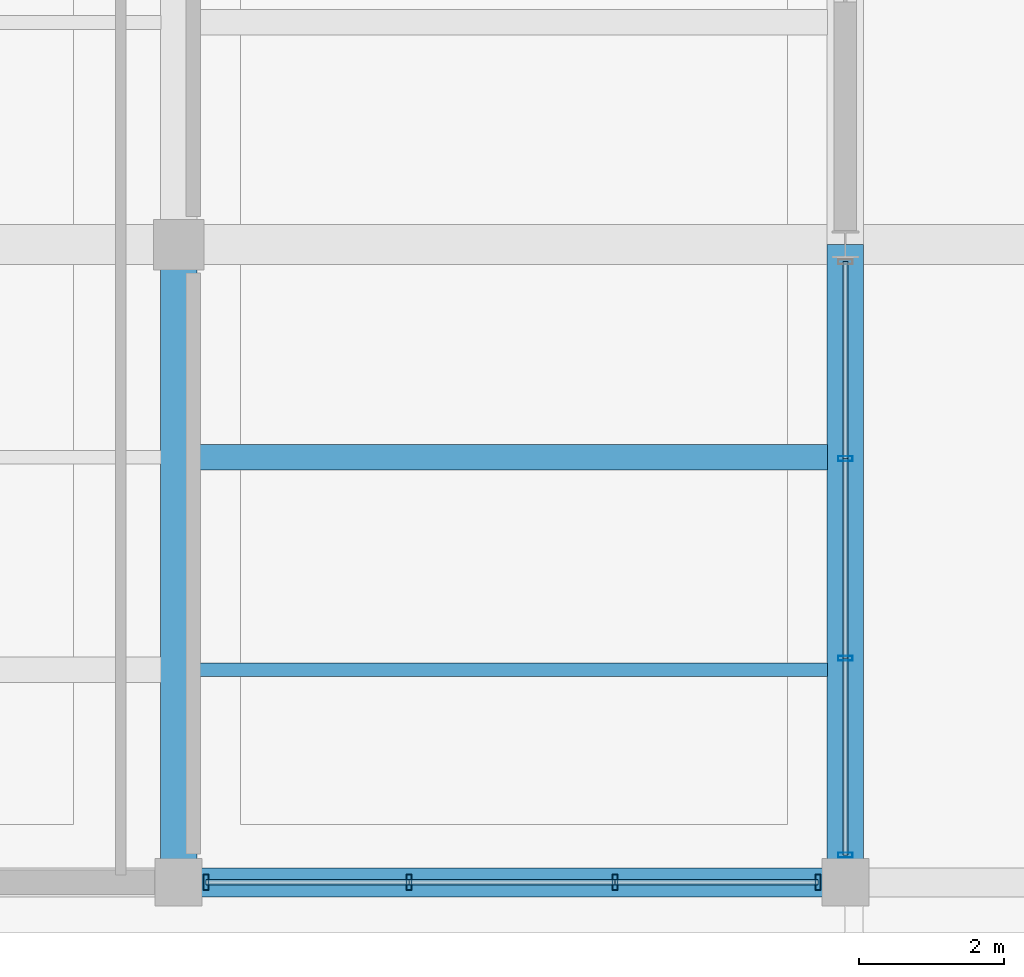
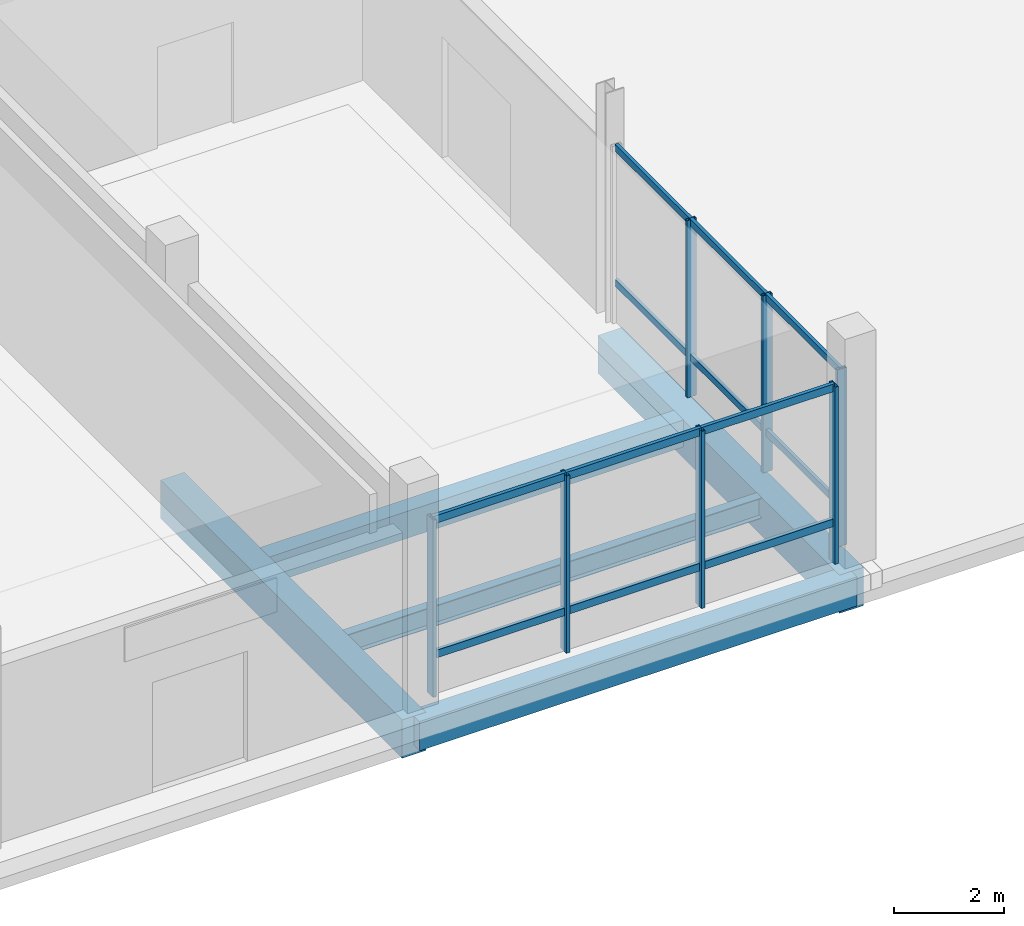
# One storey, part 14 of 73: 19 members, 5 beams, 2 elements without a shape of their own.
"""IFC4 building model written with IfcOpenShell, lengths in metres."""

from ifc_helpers import new_model, si_unit, direction, frame, origin, origin_2d, place, context, subcontext, project, spatial, rectangle, hollow_rectangle, i_section, extrude, material, layer, layer_set, material_profile, profile_set, type_object, element, aggregate, save


model = new_model("IFC4")

# Units and contexts
model_context = context("Model", 3, precision=1e-05, world=origin(), true_north=direction((0.0, 1.0)))
body_context = subcontext(model_context, "Body", "Model", "MODEL_VIEW")
ifc_project = project(units=[si_unit("LENGTHUNIT", "METRE"), si_unit("AREAUNIT", "SQUARE_METRE"), si_unit("VOLUMEUNIT", "CUBIC_METRE"), si_unit("PLANEANGLEUNIT", "RADIAN"), si_unit("MASSUNIT", "GRAM", prefix="KILO")], contexts=[model_context])

# Site, building, storey
site_placement = place(None, origin())
site = spatial("IfcSite", under=ifc_project, at=site_placement, CompositionType="ELEMENT")
building_placement = place(site_placement, origin())
building = spatial("IfcBuilding", under=site, at=building_placement, Name="Meriwether Solvik Hall", CompositionType="ELEMENT")
storey_placement = place(building_placement, origin())
storey = spatial("IfcBuildingStorey", under=building, at=storey_placement, Name="L00", CompositionType="ELEMENT", Elevation=0.0)

# Beams
ifc_material_1 = material(Name="Concrete C40/50", Category="concrete")
ifc_material_profile_1 = material_profile(ifc_material_1, rectangle(XDim=0.35009765625, YDim=0.60009765625, at=origin_2d()), Name="RCB-350X600")
ifc_profile_set_1 = profile_set([ifc_material_profile_1], Name="Concrete C40/50")
beam_type_1 = type_object("IfcBeamType", Name="BM-RC-350X600", PredefinedType="JOIST", material=ifc_profile_set_1)
beam_1_placement = place(storey_placement, frame((105.2451171875, 11.066650390625, -0.659912109375), z_axis=(1.0, 0.0, 0.0), x_axis=(0.0, 1.0, 0.0)))
element("IfcBeam", 1, at=beam_1_placement, inside=storey, type_object=beam_type_1, Name="Secondary Floor Joist 12/A_J2 (L00)", PredefinedType="JOIST", context=body_context, shape_type="SweptSolid", body=[
    extrude(rectangle(XDim=0.35009765625, YDim=0.60009765625, at=origin_2d()), origin(), (0.0, 0.0, 1.0), 8.7099609375),
])
ifc_material_2 = material(Name="Concrete C40/50", Category="concrete")
ifc_material_profile_2 = material_profile(ifc_material_2, rectangle(XDim=0.39990234375, YDim=0.64990234375, at=origin_2d()), Name="RCB-400X650")
ifc_profile_set_2 = profile_set([ifc_material_profile_2], Name="Concrete C40/50")
beam_type_2 = type_object("IfcBeamType", Name="BM-RC-400X650", PredefinedType="SPANDREL", material=ifc_profile_set_2)
beam_2_placement = place(storey_placement, frame((105.0, 5.199951171875, -0.68505859375), z_axis=(1.0, 0.0, 0.0), x_axis=(0.0, 1.0, 0.0)))
element("IfcBeam", 2, at=beam_2_placement, inside=storey, type_object=beam_type_2, Name="Podium Girder A:12-13 (L00)", PredefinedType="SPANDREL", context=body_context, shape_type="SweptSolid", body=[
    extrude(rectangle(XDim=0.39990234375, YDim=0.64990234375, at=origin_2d()), origin(), (0.0, 0.0, 1.0), 9.199951171875),
])
ifc_material_3 = material(Name="Concrete C40/50", Category="concrete")
ifc_material_profile_3 = material_profile(ifc_material_3, rectangle(XDim=0.5, YDim=0.85009765625, at=origin_2d()), Name="RCB-500X850")
ifc_profile_set_3 = profile_set([ifc_material_profile_3], Name="Concrete C40/50")
beam_type_3 = type_object("IfcBeamType", Name="BM-RC-500X850", PredefinedType="BEAM", material=ifc_profile_set_3)
for number, where, z_axis, x_axis, name in (
    (3, (105.0, 5.199951171875, -0.784912109375), (0.0, 1.0, 0.0), (-1.0, 0.0, 0.0), "Podium Girder 12:A-B (L00)"),
    (4, (114.199951171875, 5.199951171875, -0.784912109375), (0.0, 1.0, 0.0), (-1.0, 0.0, 0.0), "Podium Girder 13:A-B (L00)"),
):
    element("IfcBeam", number, at=place(storey_placement, frame(where, z_axis=z_axis, x_axis=x_axis)), inside=storey, type_object=beam_type_3, Name=name, PredefinedType="BEAM", context=body_context, shape_type="SweptSolid", body=[
        extrude(rectangle(XDim=0.5, YDim=0.85009765625, at=origin_2d()), origin(), (0.0, 0.0, 1.0), 8.800048828125),
    ])
ifc_material_4 = material(Name="Steel A992 Grade 50", Category="steel")
ifc_material_profile_4 = material_profile(ifc_material_4, i_section(OverallWidth=0.19091796875, OverallDepth=0.45703125, WebThickness=0.009033203125, FlangeThickness=0.014404296875, at=origin_2d()), Name="W18X50")
ifc_profile_set_4 = profile_set([ifc_material_profile_4], Name="Steel A992 Grade 50")
beam_type_4 = type_object("IfcBeamType", Name="BM-STL-W18X50", PredefinedType="JOIST", material=ifc_profile_set_4)
beam_3_placement = place(storey_placement, frame((105.2451171875, 8.13330078125, -0.58837890625), z_axis=(1.0, 0.0, 0.0), x_axis=(0.0, 1.0, 0.0)))
element("IfcBeam", 5, at=beam_3_placement, inside=storey, type_object=beam_type_4, Name="Secondary Floor Joist 12/A_J1 (L00)", PredefinedType="JOIST", context=body_context, shape_type="SweptSolid", body=[
    extrude(i_section(OverallWidth=0.19091796875, OverallDepth=0.45703125, WebThickness=0.009033203125, FlangeThickness=0.014404296875, at=origin_2d()), origin(), (0.0, 0.0, 1.0), 8.7099609375),
])

# Curtain wall, members
ifc_material_5 = material(Name="Thermally Broken Anodised Aluminium 6063-T6 and Low-E Glass", Category="aluminium")
ifc_layer = layer(ifc_material_5, 0.179931640625)
ifc_layer_set = layer_set([ifc_layer], Name="Thermally Broken Anodised Aluminium 6063-T6 and Low-E Glass")
curtain_wall_type = type_object("IfcCurtainWallType", Name="CW-SF-POD-A", PredefinedType="USERDEFINED", material=ifc_layer_set)
curtain_wall_1_placement = place(storey_placement, origin())
curtain_wall_1 = element("IfcCurtainWall", 6, at=curtain_wall_1_placement, inside=storey, type_object=curtain_wall_type, Name="Curtain Wall wing_Y13_1_59 (L00)", ObjectType="STICK STOREFRONT GLAZING", PredefinedType="USERDEFINED")
ifc_material_6 = material(Name="Anodised Aluminium 6063-T6", Category="aluminium")
ifc_material_profile_5 = material_profile(ifc_material_6, hollow_rectangle(XDim=0.070068359375, YDim=0.199951171875, WallThickness=0.0048828125, at=origin_2d()), Name="CWM-70X200")
ifc_profile_set_5 = profile_set([ifc_material_profile_5], Name="Anodised Aluminium 6063-T6")
member_type_1 = type_object("IfcMemberType", Name="CW-MUL-70X200", PredefinedType="MULLION", material=ifc_profile_set_5)
member_1_placement = place(storey_placement, frame((114.199951171875, 11.047119140625, 0.0), z_axis=(0.0, 0.0, 1.0), x_axis=(0.0, -1.0, 0.0)))
member_1 = element("IfcMember", 7, at=member_1_placement, type_object=member_type_1, Name="Curtain Wall Mullion 2", PredefinedType="MULLION", context=body_context, shape_type="SweptSolid", body=[
    extrude(hollow_rectangle(XDim=0.070068359375, YDim=0.199951171875, WallThickness=0.0048828125, at=origin_2d()), origin(), (0.0, 0.0, 1.0), 3.93994140625),
])
member_2_placement = place(storey_placement, frame((114.199951171875, 8.2919921875, 0.0), z_axis=(0.0, 0.0, 1.0), x_axis=(0.0, -1.0, 0.0)))
member_2 = element("IfcMember", 8, at=member_2_placement, type_object=member_type_1, Name="Curtain Wall Mullion 3", PredefinedType="MULLION", context=body_context, shape_type="SweptSolid", body=[
    extrude(hollow_rectangle(XDim=0.070068359375, YDim=0.199951171875, WallThickness=0.0048828125, at=origin_2d()), origin(), (0.0, 0.0, 1.0), 3.93994140625),
])
member_3_placement = place(storey_placement, frame((114.199951171875, 5.574951171875, 0.0), z_axis=(0.0, 0.0, 1.0), x_axis=(0.0, -1.0, 0.0)))
member_3 = element("IfcMember", 9, at=member_3_placement, type_object=member_type_1, Name="Curtain Wall Mullion 4", PredefinedType="MULLION", context=body_context, shape_type="SweptSolid", body=[
    extrude(hollow_rectangle(XDim=0.070068359375, YDim=0.199951171875, WallThickness=0.0048828125, at=origin_2d()), origin(), (0.0, 0.0, 1.0), 3.93994140625),
])

curtain_wall_2_placement = place(storey_placement, origin())
curtain_wall_2 = element("IfcCurtainWall", 10, at=curtain_wall_2_placement, inside=storey, type_object=curtain_wall_type, Name="Curtain Wall wing_XA_12_11 (L00)", ObjectType="STICK STOREFRONT GLAZING", PredefinedType="USERDEFINED")
ifc_material_7 = material(Name="Anodised Aluminium 6063-T6", Category="aluminium")
ifc_material_profile_6 = material_profile(ifc_material_7, hollow_rectangle(XDim=0.074951171875, YDim=0.219970703125, WallThickness=0.005615234375, at=origin_2d()), Name="CWM-75X220")
ifc_profile_set_6 = profile_set([ifc_material_profile_6], Name="Anodised Aluminium 6063-T6")
member_type_2 = type_object("IfcMemberType", Name="CW-MUL-75X220", PredefinedType="MULLION", material=ifc_profile_set_6)
member_4_placement = place(storey_placement, frame((113.824951171875, 5.199951171875, 0.0), z_axis=(0.0, 0.0, 1.0), x_axis=(-1.0, 0.0, 0.0)))
member_4 = element("IfcMember", 11, at=member_4_placement, type_object=member_type_2, Name="Curtain Wall Mullion 1", PredefinedType="MULLION", context=body_context, shape_type="SweptSolid", body=[
    extrude(hollow_rectangle(XDim=0.074951171875, YDim=0.219970703125, WallThickness=0.005615234375, at=origin_2d()), origin(), (0.0, 0.0, 1.0), 3.93994140625),
])
member_5_placement = place(storey_placement, frame((111.02099609375, 5.199951171875, 0.0), z_axis=(0.0, 0.0, 1.0), x_axis=(-1.0, 0.0, 0.0)))
member_5 = element("IfcMember", 12, at=member_5_placement, type_object=member_type_2, Name="Curtain Wall Mullion 2", PredefinedType="MULLION", context=body_context, shape_type="SweptSolid", body=[
    extrude(hollow_rectangle(XDim=0.074951171875, YDim=0.219970703125, WallThickness=0.005615234375, at=origin_2d()), origin(), (0.0, 0.0, 1.0), 3.93994140625),
])
member_6_placement = place(storey_placement, frame((108.178955078125, 5.199951171875, 0.0), z_axis=(0.0, 0.0, 1.0), x_axis=(-1.0, 0.0, 0.0)))
member_6 = element("IfcMember", 13, at=member_6_placement, type_object=member_type_2, Name="Curtain Wall Mullion 3", PredefinedType="MULLION", context=body_context, shape_type="SweptSolid", body=[
    extrude(hollow_rectangle(XDim=0.074951171875, YDim=0.219970703125, WallThickness=0.005615234375, at=origin_2d()), origin(), (0.0, 0.0, 1.0), 3.93994140625),
])
member_7_placement = place(storey_placement, frame((105.375, 5.199951171875, 0.0), z_axis=(0.0, 0.0, 1.0), x_axis=(-1.0, 0.0, 0.0)))
member_7 = element("IfcMember", 14, at=member_7_placement, type_object=member_type_2, Name="Curtain Wall Mullion 4", PredefinedType="MULLION", context=body_context, shape_type="SweptSolid", body=[
    extrude(hollow_rectangle(XDim=0.074951171875, YDim=0.219970703125, WallThickness=0.005615234375, at=origin_2d()), origin(), (0.0, 0.0, 1.0), 3.93994140625),
])

# Member
ifc_material_8 = material(Name="Anodised Aluminium 6063-T6", Category="aluminium")
ifc_material_profile_7 = material_profile(ifc_material_8, hollow_rectangle(XDim=0.070068359375, YDim=0.14990234375, WallThickness=0.0048828125, at=origin_2d()), Name="CWT-70X150")
ifc_profile_set_7 = profile_set([ifc_material_profile_7], Name="Anodised Aluminium 6063-T6")
member_type_3 = type_object("IfcMemberType", Name="CW-TRN-70X150", PredefinedType="USERDEFINED", material=ifc_profile_set_7)
member_8_placement = place(storey_placement, frame((114.199951171875, 13.763916015625, 0.8798828125), z_axis=(0.0, -1.0, 0.0), x_axis=(1.0, 0.0, 0.0)))
member_8 = element("IfcMember", 15, at=member_8_placement, type_object=member_type_3, Name="Curtain Wall Transom 1-sill", ObjectType="TRANSOM", PredefinedType="USERDEFINED", context=body_context, shape_type="SweptSolid", body=[
    extrude(hollow_rectangle(XDim=0.070068359375, YDim=0.14990234375, WallThickness=0.0048828125, at=origin_2d()), origin(), (0.0, 0.0, 1.0), 2.716796875),
])

member_9_placement = place(storey_placement, frame((114.199951171875, 13.763916015625, 3.8798828125), z_axis=(0.0, -1.0, 0.0), x_axis=(1.0, 0.0, 0.0)))
member_9 = element("IfcMember", 16, at=member_9_placement, type_object=member_type_3, Name="Curtain Wall Transom 1-head", ObjectType="TRANSOM", PredefinedType="USERDEFINED", context=body_context, shape_type="SweptSolid", body=[
    extrude(hollow_rectangle(XDim=0.070068359375, YDim=0.14990234375, WallThickness=0.0048828125, at=origin_2d()), origin(), (0.0, 0.0, 1.0), 2.716796875),
])

member_10_placement = place(storey_placement, frame((114.199951171875, 11.047119140625, 0.8798828125), z_axis=(0.0, -1.0, 0.0), x_axis=(1.0, 0.0, 0.0)))
member_10 = element("IfcMember", 17, at=member_10_placement, type_object=member_type_3, Name="Curtain Wall Transom 2-sill", ObjectType="TRANSOM", PredefinedType="USERDEFINED", context=body_context, shape_type="SweptSolid", body=[
    extrude(hollow_rectangle(XDim=0.070068359375, YDim=0.14990234375, WallThickness=0.0048828125, at=origin_2d()), origin(), (0.0, 0.0, 1.0), 2.755126953125),
])

member_11_placement = place(storey_placement, frame((114.199951171875, 11.047119140625, 3.8798828125), z_axis=(0.0, -1.0, 0.0), x_axis=(1.0, 0.0, 0.0)))
member_11 = element("IfcMember", 18, at=member_11_placement, type_object=member_type_3, Name="Curtain Wall Transom 2-head", ObjectType="TRANSOM", PredefinedType="USERDEFINED", context=body_context, shape_type="SweptSolid", body=[
    extrude(hollow_rectangle(XDim=0.070068359375, YDim=0.14990234375, WallThickness=0.0048828125, at=origin_2d()), origin(), (0.0, 0.0, 1.0), 2.755126953125),
])

member_12_placement = place(storey_placement, frame((114.199951171875, 8.2919921875, 0.8798828125), z_axis=(0.0, -1.0, 0.0), x_axis=(1.0, 0.0, 0.0)))
member_12 = element("IfcMember", 19, at=member_12_placement, type_object=member_type_3, Name="Curtain Wall Transom 3-sill", ObjectType="TRANSOM", PredefinedType="USERDEFINED", context=body_context, shape_type="SweptSolid", body=[
    extrude(hollow_rectangle(XDim=0.070068359375, YDim=0.14990234375, WallThickness=0.0048828125, at=origin_2d()), origin(), (0.0, 0.0, 1.0), 2.717041015625),
])

member_13_placement = place(storey_placement, frame((114.199951171875, 8.2919921875, 3.8798828125), z_axis=(0.0, -1.0, 0.0), x_axis=(1.0, 0.0, 0.0)))
member_13 = element("IfcMember", 20, at=member_13_placement, type_object=member_type_3, Name="Curtain Wall Transom 3-head", ObjectType="TRANSOM", PredefinedType="USERDEFINED", context=body_context, shape_type="SweptSolid", body=[
    extrude(hollow_rectangle(XDim=0.070068359375, YDim=0.14990234375, WallThickness=0.0048828125, at=origin_2d()), origin(), (0.0, 0.0, 1.0), 2.717041015625),
])

aggregate(curtain_wall_1, [member_1, member_2, member_3, member_8, member_9, member_10, member_11, member_12, member_13])

ifc_material_9 = material(Name="Anodised Aluminium 6063-T6", Category="aluminium")
ifc_material_profile_8 = material_profile(ifc_material_9, hollow_rectangle(XDim=0.074951171875, YDim=0.169921875, WallThickness=0.005615234375, at=origin_2d()), Name="CWT-75X170")
ifc_profile_set_8 = profile_set([ifc_material_profile_8], Name="Anodised Aluminium 6063-T6")
member_type_4 = type_object("IfcMemberType", Name="CW-TRN-75X170", PredefinedType="USERDEFINED", material=ifc_profile_set_8)
member_14_placement = place(storey_placement, frame((113.824951171875, 5.199951171875, 0.8798828125), z_axis=(-1.0, 0.0, 0.0), x_axis=(0.0, -1.0, 0.0)))
member_14 = element("IfcMember", 21, at=member_14_placement, type_object=member_type_4, Name="Curtain Wall Transom 1-sill", ObjectType="TRANSOM", PredefinedType="USERDEFINED", context=body_context, shape_type="SweptSolid", body=[
    extrude(hollow_rectangle(XDim=0.074951171875, YDim=0.169921875, WallThickness=0.005615234375, at=origin_2d()), origin(), (0.0, 0.0, 1.0), 2.803955078125),
])

member_15_placement = place(storey_placement, frame((113.824951171875, 5.199951171875, 3.8798828125), z_axis=(-1.0, 0.0, 0.0), x_axis=(0.0, -1.0, 0.0)))
member_15 = element("IfcMember", 22, at=member_15_placement, type_object=member_type_4, Name="Curtain Wall Transom 1-head", ObjectType="TRANSOM", PredefinedType="USERDEFINED", context=body_context, shape_type="SweptSolid", body=[
    extrude(hollow_rectangle(XDim=0.074951171875, YDim=0.169921875, WallThickness=0.005615234375, at=origin_2d()), origin(), (0.0, 0.0, 1.0), 2.803955078125),
])

member_16_placement = place(storey_placement, frame((111.02099609375, 5.199951171875, 0.8798828125), z_axis=(-1.0, 0.0, 0.0), x_axis=(0.0, -1.0, 0.0)))
member_16 = element("IfcMember", 23, at=member_16_placement, type_object=member_type_4, Name="Curtain Wall Transom 2-sill", ObjectType="TRANSOM", PredefinedType="USERDEFINED", context=body_context, shape_type="SweptSolid", body=[
    extrude(hollow_rectangle(XDim=0.074951171875, YDim=0.169921875, WallThickness=0.005615234375, at=origin_2d()), origin(), (0.0, 0.0, 1.0), 2.842041015625),
])

member_17_placement = place(storey_placement, frame((111.02099609375, 5.199951171875, 3.8798828125), z_axis=(-1.0, 0.0, 0.0), x_axis=(0.0, -1.0, 0.0)))
member_17 = element("IfcMember", 24, at=member_17_placement, type_object=member_type_4, Name="Curtain Wall Transom 2-head", ObjectType="TRANSOM", PredefinedType="USERDEFINED", context=body_context, shape_type="SweptSolid", body=[
    extrude(hollow_rectangle(XDim=0.074951171875, YDim=0.169921875, WallThickness=0.005615234375, at=origin_2d()), origin(), (0.0, 0.0, 1.0), 2.842041015625),
])

member_18_placement = place(storey_placement, frame((108.178955078125, 5.199951171875, 0.8798828125), z_axis=(-1.0, 0.0, 0.0), x_axis=(0.0, -1.0, 0.0)))
member_18 = element("IfcMember", 25, at=member_18_placement, type_object=member_type_4, Name="Curtain Wall Transom 3-sill", ObjectType="TRANSOM", PredefinedType="USERDEFINED", context=body_context, shape_type="SweptSolid", body=[
    extrude(hollow_rectangle(XDim=0.074951171875, YDim=0.169921875, WallThickness=0.005615234375, at=origin_2d()), origin(), (0.0, 0.0, 1.0), 2.803955078125),
])

member_19_placement = place(storey_placement, frame((108.178955078125, 5.199951171875, 3.8798828125), z_axis=(-1.0, 0.0, 0.0), x_axis=(0.0, -1.0, 0.0)))
member_19 = element("IfcMember", 26, at=member_19_placement, type_object=member_type_4, Name="Curtain Wall Transom 3-head", ObjectType="TRANSOM", PredefinedType="USERDEFINED", context=body_context, shape_type="SweptSolid", body=[
    extrude(hollow_rectangle(XDim=0.074951171875, YDim=0.169921875, WallThickness=0.005615234375, at=origin_2d()), origin(), (0.0, 0.0, 1.0), 2.803955078125),
])

aggregate(curtain_wall_2, [member_4, member_5, member_6, member_7, member_14, member_15, member_16, member_17, member_18, member_19])

save(model, "model.ifc")
